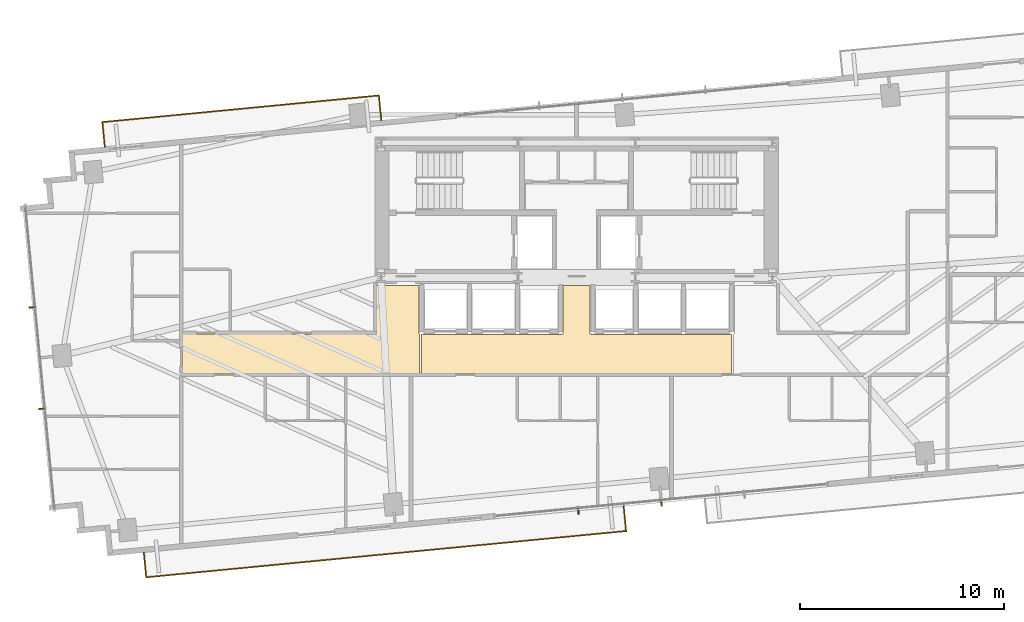
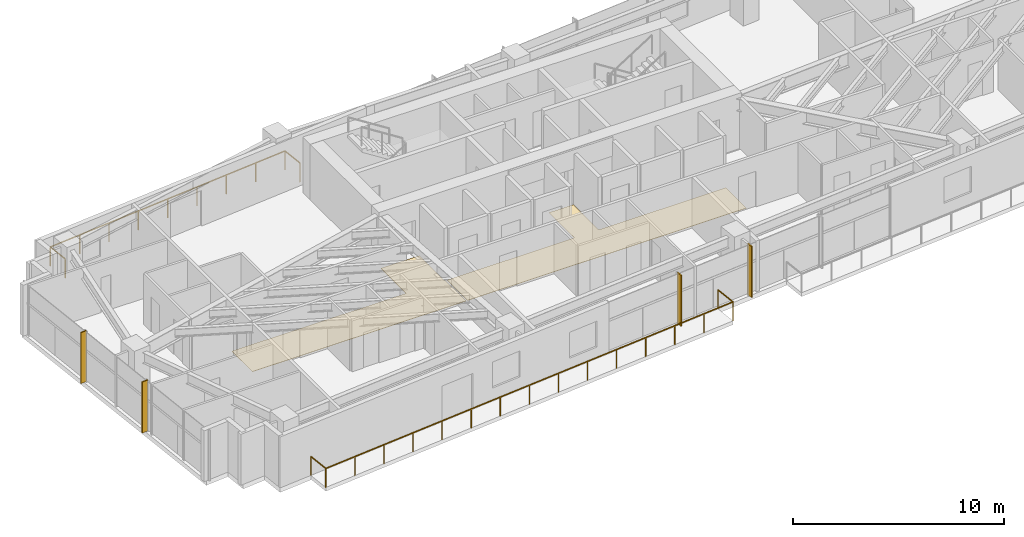
# One storey, part 25 of 27: 4 shading devices, 2 coverings, 2 railings.
"""IFC4 building model written with IfcOpenShell, lengths in metres."""

from ifc_helpers import new_model, si_unit, direction, frame, origin, origin_2d, place, context, subcontext, project, spatial, polyline, rectangle, outline, extrude, source, transform, mapped, material, layer, layer_set, type_object, type_shapes, element, save


model = new_model("IFC4")

# Units and contexts
model_context = context("Model", 3, precision=1e-05, world=origin(), true_north=direction((0.0, 1.0)))
body_context = subcontext(model_context, "Body", "Model", "MODEL_VIEW")
ifc_project = project(units=[si_unit("LENGTHUNIT", "METRE"), si_unit("AREAUNIT", "SQUARE_METRE"), si_unit("VOLUMEUNIT", "CUBIC_METRE"), si_unit("PLANEANGLEUNIT", "RADIAN"), si_unit("MASSUNIT", "GRAM", prefix="KILO")], contexts=[model_context])

# Site, building, storey
site_placement = place(None, origin())
site = spatial("IfcSite", under=ifc_project, at=site_placement, CompositionType="ELEMENT")
building_placement = place(site_placement, origin())
building = spatial("IfcBuilding", under=site, at=building_placement, Name="Astriad Promenade Condominiums", CompositionType="ELEMENT")
storey_placement = place(building_placement, frame((0.0, 0.0, 97.0)))
storey = spatial("IfcBuildingStorey", under=building, at=storey_placement, Name="L27", CompositionType="ELEMENT", Elevation=97.0)

# Coverings
ifc_material_1 = material(Name="Polished Lakefront Terrazzo Flooring")
ifc_layer = layer(ifc_material_1, 0.02001953125)
ifc_layer_set = layer_set([ifc_layer], Name="Polished Lakefront Terrazzo Flooring")
covering_type = type_object("IfcCoveringType", Name="COV-FLOR-TERRAZZO-20", PredefinedType="FLOORING", material=ifc_layer_set)
covering_1_placement = place(storey_placement, origin())
element("IfcCovering", 1, at=covering_1_placement, inside=storey, type_object=covering_type, Name="FLR-L27-LLB", PredefinedType="FLOORING", context=body_context, shape_type="SweptSolid", body=[
    extrude(outline(polyline([(43.610107421875, 14.610107421875), (43.610107421875, 12.669921875), (28.389892578125, 12.669921875), (28.389892578125, 14.610107421875), (35.300048828125, 14.610107421875), (35.303955078125, 14.610107421875), (35.307861328125, 14.61083984375), (35.3115234375, 14.61181640625), (35.315185546875, 14.613037109375), (35.31884765625, 14.61474609375), (35.322265625, 14.61669921875), (35.325439453125, 14.619140625), (35.328369140625, 14.62158203125), (35.330810546875, 14.62451171875), (35.333251953125, 14.627685546875), (35.335205078125, 14.631103515625), (35.3369140625, 14.634765625), (35.33837890625, 14.638427734375), (35.339111328125, 14.64208984375), (35.33984375, 14.64599609375), (35.340087890625, 14.64990234375), (35.340087890625, 17.010009765625), (36.659912109375, 17.010009765625), (36.659912109375, 14.64990234375), (36.66015625, 14.64599609375), (36.660888671875, 14.64208984375), (36.66162109375, 14.638427734375), (36.6630859375, 14.634765625), (36.664794921875, 14.631103515625), (36.666748046875, 14.627685546875), (36.669189453125, 14.62451171875), (36.671630859375, 14.62158203125), (36.674560546875, 14.619140625), (36.677734375, 14.61669921875), (36.68115234375, 14.61474609375), (36.684814453125, 14.613037109375), (36.6884765625, 14.61181640625), (36.692138671875, 14.61083984375), (36.696044921875, 14.610107421875), (36.699951171875, 14.610107421875), (43.610107421875, 14.610107421875)])), origin(), (0.0, 0.0, 1.0), 0.02001953125),
])
covering_2_placement = place(storey_placement, origin())
element("IfcCovering", 2, at=covering_2_placement, inside=storey, type_object=covering_type, Name="FLR-L27-COR-2", PredefinedType="FLOORING", context=body_context, shape_type="SweptSolid", body=[
    extrude(outline(polyline([(28.300048828125, 12.669921875), (16.639892578125, 12.669921875), (16.639892578125, 14.6201171875), (26.1201171875, 14.6201171875), (26.123779296875, 14.6201171875), (26.127685546875, 14.620849609375), (26.131591796875, 14.62158203125), (26.13525390625, 14.623046875), (26.138916015625, 14.624755859375), (26.14208984375, 14.626708984375), (26.1455078125, 14.629150390625), (26.148193359375, 14.631591796875), (26.15087890625, 14.634521484375), (26.1533203125, 14.6376953125), (26.1552734375, 14.64111328125), (26.156982421875, 14.644775390625), (26.158203125, 14.6484375), (26.1591796875, 14.652099609375), (26.159912109375, 14.656005859375), (26.159912109375, 14.659912109375), (26.159912109375, 17.010009765625), (28.260009765625, 17.010009765625), (28.260009765625, 14.64990234375), (28.26025390625, 14.64599609375), (28.2607421875, 14.64208984375), (28.26171875, 14.638427734375), (28.262939453125, 14.634765625), (28.2646484375, 14.631103515625), (28.2666015625, 14.627685546875), (28.26904296875, 14.62451171875), (28.271728515625, 14.62158203125), (28.274658203125, 14.619140625), (28.27783203125, 14.61669921875), (28.281005859375, 14.61474609375), (28.28466796875, 14.613037109375), (28.288330078125, 14.61181640625), (28.292236328125, 14.61083984375), (28.296142578125, 14.610107421875), (28.300048828125, 14.610107421875), (28.300048828125, 12.669921875)])), origin(), (0.0, 0.0, 1.0), 0.02001953125),
])

# Shading devices
ifc_material_2 = material(Name="Anodised aluminium 6063-T6 Black Fin", Category="aluminium")
shading_device_type = type_object("IfcShadingDeviceType", Name="FIN-BLACK-320", PredefinedType="USERDEFINED", material=ifc_material_2)
shared_shape_1 = source(origin(), body_context, "Body", "SweptSolid", [
    extrude(rectangle(XDim=0.06494140625, YDim=0.320068359375, at=origin_2d()), origin(), (0.0, 0.0, 1.0), 2.93994140625),
])
type_shapes(shading_device_type, [shared_shape_1])
for number, where, z_axis, x_axis, name in (
    (3, (9.766845703125, 10.954345703125, 0.0), (0.0, 0.0, 1.0), (-0.09584575252, 0.995396198367, 0.0), "CW-L27-W-FIN-01"),
    (4, (9.28759765625, 15.931396484375, 0.0), (0.0, 0.0, 1.0), (-0.09584575252, 0.995396198367, 0.0), "CW-L27-W-FIN-02"),
    (5, (40.159423828125, 6.3359375, 0.0), (0.0, 0.0, 1.0), (-0.995396198367, -0.09584575252, 0.0), "CW-L27-S-FIN-02"),
    (6, (36.083251953125, 5.943603515625, 0.0), (0.0, 0.0, 1.0), (-0.995396198367, -0.09584575252, 0.0), "CW-L27-S-FIN-03"),
):
    element("IfcShadingDevice", number, at=place(storey_placement, frame(where, z_axis=z_axis, x_axis=x_axis)), inside=storey, type_object=shading_device_type, Name=name, ObjectType="FIN", PredefinedType="USERDEFINED", context=body_context, shape_type="MappedRepresentation", body=[
        mapped(shared_shape_1, transform((0.0, 0.0, 0.0), scale=1.0)),
    ])

# Railings
ifc_material_3 = material(Name="Laminated Glass and Stainless Steel Balustrade", Category="steel")
railing_type = type_object("IfcRailingType", Name="GRD-BALC-1120", PredefinedType="BALUSTRADE", material=ifc_material_3)
shared_shape_2 = source(origin(), body_context, "Body", "SweptSolid", [
    extrude(rectangle(XDim=0.048095703125, YDim=0.048095703125, at=origin_2d()), frame((0.0, 0.0, 1.09619140625), z_axis=(0.095857307208, -0.99539508571, 0.0), x_axis=(0.99539508571, 0.095857307208, 0.0)), (0.0, 0.0, 1.0), 1.219970703125),
    extrude(rectangle(XDim=0.048095703125, YDim=0.048095703125, at=origin_2d()), frame((0.116943359375, -1.21435546875, 1.09619140625), z_axis=(0.99539595491, 0.095848280884, 0.0), x_axis=(-0.095848280884, 0.99539595491, 0.0)), (0.0, 0.0, 1.0), 23.657958984375),
    extrude(rectangle(XDim=0.048095703125, YDim=0.048095703125, at=origin_2d()), frame((23.666015625, 1.05322265625, 1.09619140625), z_axis=(-0.095857307208, 0.99539508571, 0.0), x_axis=(-0.99539508571, -0.095857307208, 0.0)), (0.0, 0.0, 1.0), 1.219970703125),
    extrude(rectangle(XDim=0.0419921875, YDim=0.0419921875, at=origin_2d()), origin(), (0.0, 0.0, 1.0), 1.072021484375),
    extrude(rectangle(XDim=0.0419921875, YDim=0.0419921875, at=origin_2d()), frame((0.116943359375, -1.21435546875, 0.0)), (0.0, 0.0, 1.0), 1.072021484375),
    extrude(rectangle(XDim=0.0419921875, YDim=0.0419921875, at=origin_2d()), frame((1.799072265625, -1.052490234375, 0.0)), (0.0, 0.0, 1.0), 1.072021484375),
    extrude(rectangle(XDim=0.0419921875, YDim=0.0419921875, at=origin_2d()), frame((3.481201171875, -0.890380859375, 0.0)), (0.0, 0.0, 1.0), 1.072021484375),
    extrude(rectangle(XDim=0.0419921875, YDim=0.0419921875, at=origin_2d()), frame((5.1630859375, -0.728515625, 0.0)), (0.0, 0.0, 1.0), 1.072021484375),
    extrude(rectangle(XDim=0.0419921875, YDim=0.0419921875, at=origin_2d()), frame((6.84521484375, -0.56640625, 0.0)), (0.0, 0.0, 1.0), 1.072021484375),
    extrude(rectangle(XDim=0.0419921875, YDim=0.0419921875, at=origin_2d()), frame((8.52734375, -0.404541015625, 0.0)), (0.0, 0.0, 1.0), 1.072021484375),
    extrude(rectangle(XDim=0.0419921875, YDim=0.0419921875, at=origin_2d()), frame((10.20947265625, -0.242431640625, 0.0)), (0.0, 0.0, 1.0), 1.072021484375),
    extrude(rectangle(XDim=0.0419921875, YDim=0.0419921875, at=origin_2d()), frame((11.8916015625, -0.08056640625, 0.0)), (0.0, 0.0, 1.0), 1.072021484375),
    extrude(rectangle(XDim=0.0419921875, YDim=0.0419921875, at=origin_2d()), frame((13.573486328125, 0.081298828125, 0.0)), (0.0, 0.0, 1.0), 1.072021484375),
    extrude(rectangle(XDim=0.0419921875, YDim=0.0419921875, at=origin_2d()), frame((15.255615234375, 0.243408203125, 0.0)), (0.0, 0.0, 1.0), 1.072021484375),
    extrude(rectangle(XDim=0.0419921875, YDim=0.0419921875, at=origin_2d()), frame((16.937744140625, 0.4052734375, 0.0)), (0.0, 0.0, 1.0), 1.072021484375),
    extrude(rectangle(XDim=0.0419921875, YDim=0.0419921875, at=origin_2d()), frame((18.619873046875, 0.5673828125, 0.0)), (0.0, 0.0, 1.0), 1.072021484375),
    extrude(rectangle(XDim=0.0419921875, YDim=0.0419921875, at=origin_2d()), frame((20.3017578125, 0.729248046875, 0.0)), (0.0, 0.0, 1.0), 1.072021484375),
    extrude(rectangle(XDim=0.0419921875, YDim=0.0419921875, at=origin_2d()), frame((21.98388671875, 0.891357421875, 0.0)), (0.0, 0.0, 1.0), 1.072021484375),
    extrude(rectangle(XDim=0.0419921875, YDim=0.0419921875, at=origin_2d()), frame((23.666015625, 1.05322265625, 0.0)), (0.0, 0.0, 1.0), 1.072021484375),
    extrude(rectangle(XDim=0.0419921875, YDim=0.0419921875, at=origin_2d()), frame((23.549072265625, 2.267578125, 0.0)), (0.0, 0.0, 1.0), 1.072021484375),
])
railing_1_placement = place(storey_placement, frame((14.761962890625, 3.900634765625, 0.0)))
element("IfcRailing", 7, at=railing_1_placement, inside=storey, type_object=railing_type, Name="GRD-BALC-L27-SW", PredefinedType="BALUSTRADE", context=body_context, shape_type="MappedRepresentation", body=[
    mapped(shared_shape_2, transform((0.0, 0.0, 0.0), scale=1.0)),
])
shared_shape_3 = source(origin(), body_context, "Body", "SweptSolid", [
    extrude(rectangle(XDim=0.048095703125, YDim=0.048095703125, at=origin_2d()), frame((0.0, 0.0, 1.09619140625), z_axis=(-0.095857307208, 0.99539508571, 0.0), x_axis=(-0.99539508571, -0.095857307208, 0.0)), (0.0, 0.0, 1.0), 1.219970703125),
    extrude(rectangle(XDim=0.048095703125, YDim=0.048095703125, at=origin_2d()), frame((-0.116943359375, 1.21435546875, 1.09619140625), z_axis=(-0.995397079184, -0.095836604443, 0.0), x_axis=(0.095836604443, -0.995397079184, 0.0)), (0.0, 0.0, 1.0), 13.634033203125),
    extrude(rectangle(XDim=0.048095703125, YDim=0.048095703125, at=origin_2d()), frame((-13.688232421875, -0.09228515625, 1.09619140625), z_axis=(0.095857307208, -0.99539508571, 0.0), x_axis=(0.99539508571, 0.095857307208, 0.0)), (0.0, 0.0, 1.0), 1.219970703125),
    extrude(rectangle(XDim=0.0419921875, YDim=0.0419921875, at=origin_2d()), origin(), (0.0, 0.0, 1.0), 1.072021484375),
    extrude(rectangle(XDim=0.0419921875, YDim=0.0419921875, at=origin_2d()), frame((-0.116943359375, 1.21435546875, 0.0)), (0.0, 0.0, 1.0), 1.072021484375),
    extrude(rectangle(XDim=0.0419921875, YDim=0.0419921875, at=origin_2d()), frame((-1.8134765625, 1.051025390625, 0.0)), (0.0, 0.0, 1.0), 1.072021484375),
    extrude(rectangle(XDim=0.0419921875, YDim=0.0419921875, at=origin_2d()), frame((-3.509765625, 0.8876953125, 0.0)), (0.0, 0.0, 1.0), 1.072021484375),
    extrude(rectangle(XDim=0.0419921875, YDim=0.0419921875, at=origin_2d()), frame((-5.2060546875, 0.724365234375, 0.0)), (0.0, 0.0, 1.0), 1.072021484375),
    extrude(rectangle(XDim=0.0419921875, YDim=0.0419921875, at=origin_2d()), frame((-6.902587890625, 0.56103515625, 0.0)), (0.0, 0.0, 1.0), 1.072021484375),
    extrude(rectangle(XDim=0.0419921875, YDim=0.0419921875, at=origin_2d()), frame((-8.59912109375, 0.397705078125, 0.0)), (0.0, 0.0, 1.0), 1.072021484375),
    extrude(rectangle(XDim=0.0419921875, YDim=0.0419921875, at=origin_2d()), frame((-10.29541015625, 0.234375, 0.0)), (0.0, 0.0, 1.0), 1.072021484375),
    extrude(rectangle(XDim=0.0419921875, YDim=0.0419921875, at=origin_2d()), frame((-11.99169921875, 0.071044921875, 0.0)), (0.0, 0.0, 1.0), 1.072021484375),
    extrude(rectangle(XDim=0.0419921875, YDim=0.0419921875, at=origin_2d()), frame((-13.688232421875, -0.09228515625, 0.0)), (0.0, 0.0, 1.0), 1.072021484375),
    extrude(rectangle(XDim=0.0419921875, YDim=0.0419921875, at=origin_2d()), frame((-13.5712890625, -1.306640625, 0.0)), (0.0, 0.0, 1.0), 1.072021484375),
])
type_shapes(railing_type, [shared_shape_2, shared_shape_3])
railing_2_placement = place(storey_placement, frame((26.416259765625, 25.115234375, 0.0)))
element("IfcRailing", 8, at=railing_2_placement, inside=storey, type_object=railing_type, Name="GRD-BALC-L27-NW", PredefinedType="BALUSTRADE", context=body_context, shape_type="MappedRepresentation", body=[
    mapped(shared_shape_3, transform((0.0, 0.0, 0.0), scale=1.0)),
])

save(model, "model.ifc")
